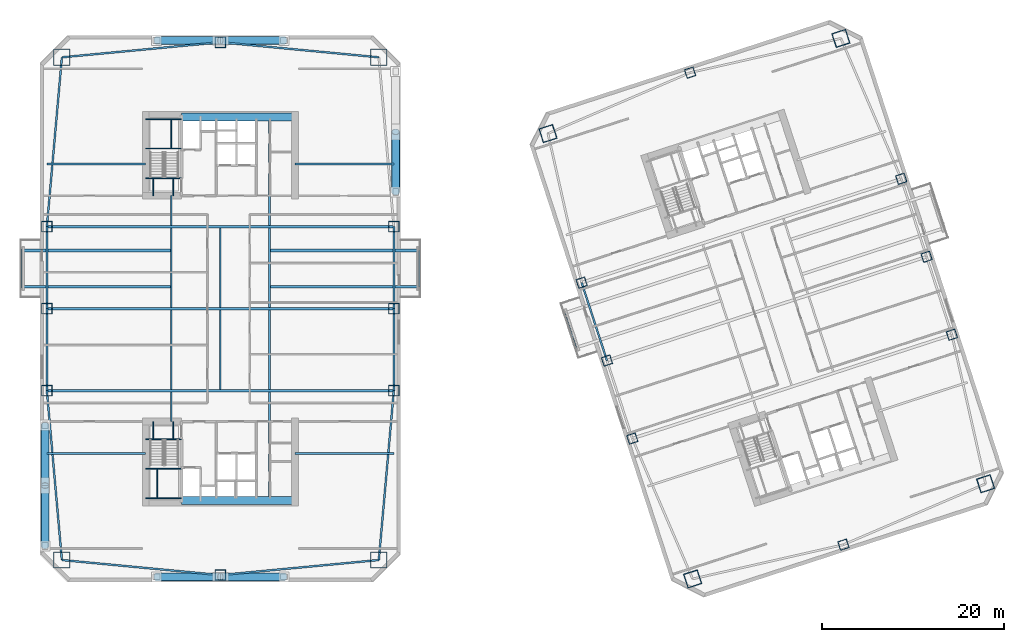
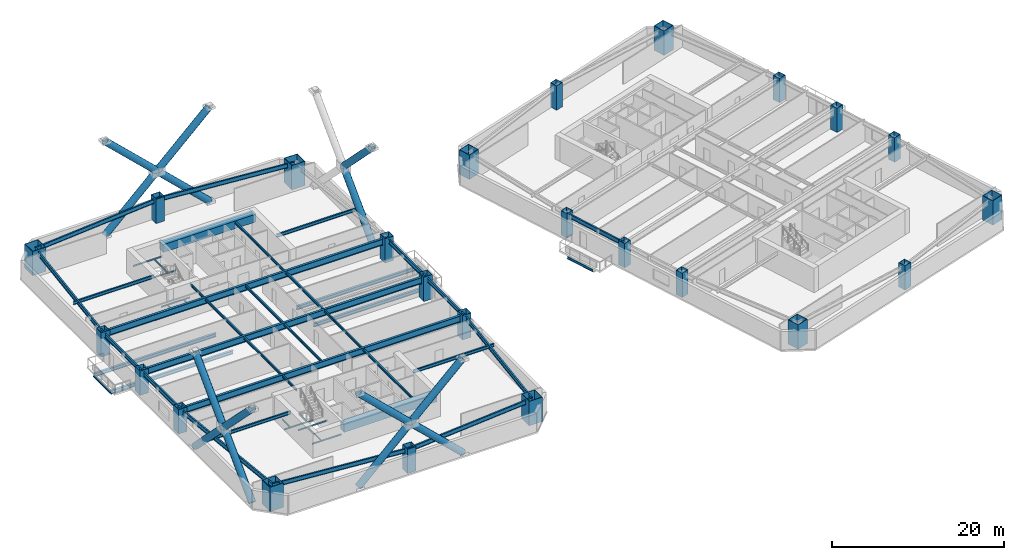
# One storey, part 1 of 15: 50 beams, 24 columns, 14 members.
"""IFC4 building model written with IfcOpenShell, lengths in metres."""

from ifc_helpers import new_model, si_unit, direction, frame, origin, origin_2d, place, context, subcontext, project, spatial, rectangle, hollow_rectangle, hollow_circle, i_section, extrude, material, material_profile, profile_set, type_object, element, save


model = new_model("IFC4")

# Units and contexts
model_context = context("Model", 3, precision=1e-05, world=origin(), true_north=direction((0.0, 1.0)))
body_context = subcontext(model_context, "Body", "Model", "MODEL_VIEW")
ifc_project = project(units=[si_unit("LENGTHUNIT", "METRE"), si_unit("AREAUNIT", "SQUARE_METRE"), si_unit("VOLUMEUNIT", "CUBIC_METRE"), si_unit("PLANEANGLEUNIT", "RADIAN"), si_unit("MASSUNIT", "GRAM", prefix="KILO")], contexts=[model_context])

# Site, building, storey
site_placement = place(None, origin())
site = spatial("IfcSite", under=ifc_project, at=site_placement, CompositionType="ELEMENT")
building_placement = place(site_placement, origin())
building = spatial("IfcBuilding", under=site, at=building_placement, Name="Qiaolan Cultural Towers", CompositionType="ELEMENT")
storey_placement = place(building_placement, frame((0.0, 0.0, 71.300048828125)))
storey = spatial("IfcBuildingStorey", under=building, at=storey_placement, Name="L17", CompositionType="ELEMENT", Elevation=71.300048828125)

# Columns
ifc_material_1 = material(Name="Steel Q355B", Category="steel")
ifc_material_profile_1 = material_profile(ifc_material_1, hollow_rectangle(XDim=1.0, YDim=1.0, WallThickness=0.035888671875, at=origin_2d()), Name="BOX1000x1000x36")
ifc_profile_set_1 = profile_set([ifc_material_profile_1], Name="Steel Q355B")
column_type_1 = type_object("IfcColumnType", Name="COL-BOX1000x1000x36", PredefinedType="COLUMN", material=ifc_profile_set_1)
for number, where, z_axis, x_axis, name in (
    (1, (75.234130859375, 19.739013671875, 0.0), (0.0, 0.0, 1.0), (0.951056516295, 0.309016994375, 0.0), "L17 T2 Perimeter Column PC-W1"),
    (2, (72.453125, 28.298583984375, 0.0), (0.0, 0.0, 1.0), (0.951056516295, 0.309016994375, 0.0), "L17 T2 Perimeter Column PC-W2"),
    (3, (69.671875, 36.858154296875, 0.0), (0.0, 0.0, 1.0), (0.951056516295, 0.309016994375, 0.0), "L17 T2 Perimeter Column PC-W3"),
    (4, (110.328125, 31.141845703125, 0.0), (0.0, 0.0, 1.0), (0.951056516295, 0.309016994375, 0.0), "L17 T2 Perimeter Column PC-E1"),
    (5, (107.546875, 39.701416015625, 0.0), (0.0, 0.0, 1.0), (0.951056516295, 0.309016994375, 0.0), "L17 T2 Perimeter Column PC-E2"),
    (6, (104.765869140625, 48.260986328125, 0.0), (0.0, 0.0, 1.0), (0.951056516295, 0.309016994375, 0.0), "L17 T2 Perimeter Column PC-E3"),
    (7, (98.420654296875, 8.083740234375, 0.0), (0.0, 0.0, 1.0), (0.951056516295, 0.309016994375, 0.0), "L17 T2 Perimeter Column PC-S0"),
    (8, (81.579345703125, 59.916259765625, 0.0), (0.0, 0.0, 1.0), (0.951056516295, 0.309016994375, 0.0), "L17 T2 Perimeter Column PC-N0"),
):
    element("IfcColumn", number, at=place(storey_placement, frame(where, z_axis=z_axis, x_axis=x_axis)), inside=storey, type_object=column_type_1, Name=name, PredefinedType="COLUMN", context=body_context, shape_type="SweptSolid", body=[
        extrude(hollow_rectangle(XDim=1.0, YDim=1.0, WallThickness=0.035888671875, at=origin_2d()), origin(), (0.0, 0.0, 1.0), 3.450927734375),
    ])
ifc_material_2 = material(Name="Steel Q390GJB", Category="steel")
ifc_material_profile_2 = material_profile(ifc_material_2, hollow_rectangle(XDim=1.14990234375, YDim=1.14990234375, WallThickness=0.0400390625, at=origin_2d()), Name="BOX1150x1150x40")
ifc_profile_set_2 = profile_set([ifc_material_profile_2], Name="Steel Q390GJB")
column_type_2 = type_object("IfcColumnType", Name="COL-BOX1150x1150x40", PredefinedType="COLUMN", material=ifc_profile_set_2)
for number, where, z_axis, x_axis, name in (
    (9, (10.949951171875, 25.0, 0.0), (0.0, 0.0, 1.0), (1.0, 0.0, 0.0), "L17 T1 Perimeter Column PC-W1"),
    (10, (10.949951171875, 34.0, 0.0), (0.0, 0.0, 1.0), (1.0, 0.0, 0.0), "L17 T1 Perimeter Column PC-W2"),
    (11, (10.949951171875, 43.0, 0.0), (0.0, 0.0, 1.0), (1.0, 0.0, 0.0), "L17 T1 Perimeter Column PC-W3"),
    (12, (49.050048828125, 25.0, 0.0), (0.0, 0.0, 1.0), (1.0, 0.0, 0.0), "L17 T1 Perimeter Column PC-E1"),
    (13, (49.050048828125, 34.0, 0.0), (0.0, 0.0, 1.0), (1.0, 0.0, 0.0), "L17 T1 Perimeter Column PC-E2"),
    (14, (49.050048828125, 43.0, 0.0), (0.0, 0.0, 1.0), (1.0, 0.0, 0.0), "L17 T1 Perimeter Column PC-E3"),
    (15, (30.0, 4.75, 0.0), (0.0, 0.0, 1.0), (1.0, 0.0, 0.0), "L17 T1 Perimeter Column PC-S0"),
    (16, (30.0, 63.25, 0.0), (0.0, 0.0, 1.0), (1.0, 0.0, 0.0), "L17 T1 Perimeter Column PC-N0"),
):
    element("IfcColumn", number, at=place(storey_placement, frame(where, z_axis=z_axis, x_axis=x_axis)), inside=storey, type_object=column_type_2, Name=name, PredefinedType="COLUMN", context=body_context, shape_type="SweptSolid", body=[
        extrude(hollow_rectangle(XDim=1.14990234375, YDim=1.14990234375, WallThickness=0.0400390625, at=origin_2d()), origin(), (0.0, 0.0, 1.0), 3.450927734375),
    ])
ifc_material_3 = material(Name="Steel Q420GJB", Category="steel")
ifc_material_profile_3 = material_profile(ifc_material_3, hollow_rectangle(XDim=1.60009765625, YDim=1.60009765625, WallThickness=0.054931640625, at=origin_2d()), Name="BOX1600x1600x55")
ifc_profile_set_3 = profile_set([ifc_material_profile_3], Name="Steel Q420GJB")
column_type_3 = type_object("IfcColumnType", Name="COL-BOX1600x1600x55", PredefinedType="COLUMN", material=ifc_profile_set_3)
for number, where, z_axis, x_axis, name in (
    (17, (81.862548828125, 4.32275390625, 0.0), (0.0, 0.0, 1.0), (0.951056516295, 0.309016994375, 0.0), "L17 T2 Perimeter Column MC-SW"),
    (18, (114.027099609375, 14.77392578125, 0.0), (0.0, 0.0, 1.0), (0.951056516295, 0.309016994375, 0.0), "L17 T2 Perimeter Column MC-SE"),
    (19, (98.137451171875, 63.67724609375, 0.0), (0.0, 0.0, 1.0), (0.951056516295, 0.309016994375, 0.0), "L17 T2 Perimeter Column MC-NE"),
    (20, (65.972900390625, 53.22607421875, 0.0), (0.0, 0.0, 1.0), (0.951056516295, 0.309016994375, 0.0), "L17 T2 Perimeter Column MC-NW"),
):
    element("IfcColumn", number, at=place(storey_placement, frame(where, z_axis=z_axis, x_axis=x_axis)), inside=storey, type_object=column_type_3, Name=name, PredefinedType="COLUMN", context=body_context, shape_type="SweptSolid", body=[
        extrude(hollow_rectangle(XDim=1.60009765625, YDim=1.60009765625, WallThickness=0.054931640625, at=origin_2d()), origin(), (0.0, 0.0, 1.0), 3.450927734375),
    ])
ifc_material_4 = material(Name="Steel Q420GJB", Category="steel")
ifc_material_profile_4 = material_profile(ifc_material_4, hollow_rectangle(XDim=1.800048828125, YDim=1.800048828125, WallThickness=0.06005859375, at=origin_2d()), Name="BOX1800x1800x60")
ifc_profile_set_4 = profile_set([ifc_material_profile_4], Name="Steel Q420GJB")
column_type_4 = type_object("IfcColumnType", Name="COL-BOX1800x1800x60", PredefinedType="COLUMN", material=ifc_profile_set_4)
for number, where, z_axis, x_axis, name in (
    (21, (12.60009765625, 6.39990234375, 0.0), (0.0, 0.0, 1.0), (1.0, 0.0, 0.0), "L17 T1 Perimeter Column MC-SW"),
    (22, (47.39990234375, 6.39990234375, 0.0), (0.0, 0.0, 1.0), (1.0, 0.0, 0.0), "L17 T1 Perimeter Column MC-SE"),
    (23, (47.39990234375, 61.60009765625, 0.0), (0.0, 0.0, 1.0), (1.0, 0.0, 0.0), "L17 T1 Perimeter Column MC-NE"),
    (24, (12.60009765625, 61.60009765625, 0.0), (0.0, 0.0, 1.0), (1.0, 0.0, 0.0), "L17 T1 Perimeter Column MC-NW"),
):
    element("IfcColumn", number, at=place(storey_placement, frame(where, z_axis=z_axis, x_axis=x_axis)), inside=storey, type_object=column_type_4, Name=name, PredefinedType="COLUMN", context=body_context, shape_type="SweptSolid", body=[
        extrude(hollow_rectangle(XDim=1.800048828125, YDim=1.800048828125, WallThickness=0.06005859375, at=origin_2d()), origin(), (0.0, 0.0, 1.0), 3.450927734375),
    ])

# Beams
ifc_material_5 = material(Name="Steel Q355B", Category="steel")
ifc_material_profile_5 = material_profile(ifc_material_5, i_section(OverallWidth=0.300048828125, OverallDepth=0.488037109375, WebThickness=0.010986328125, FlangeThickness=0.01806640625, at=origin_2d()), Name="HM488x300x11x18")
ifc_profile_set_5 = profile_set([ifc_material_profile_5], Name="Steel Q355B")
beam_type_1 = type_object("IfcBeamType", Name="BM-HM488x300x11x18", PredefinedType="BEAM", material=ifc_profile_set_5)
for number, where, z_axis, x_axis, name in (
    (25, (24.60009765625, 36.39990234375, -0.524169921875), (-1.0, 0.0, 0.0), (0.0, -1.0, 0.0), "L17 T1 Tree Balcony Back-Spanned Bracket Beam"),
    (26, (24.60009765625, 40.39990234375, -0.524169921875), (-1.0, 0.0, 0.0), (0.0, -1.0, 0.0), "L17 T1 Tree Balcony Back-Spanned Bracket Beam"),
    (27, (35.39990234375, 36.39990234375, -0.524169921875), (1.0, 0.0, 0.0), (0.0, 1.0, 0.0), "L17 T1 Tree Balcony Back-Spanned Bracket Beam"),
    (28, (35.39990234375, 40.39990234375, -0.524169921875), (1.0, 0.0, 0.0), (0.0, 1.0, 0.0), "L17 T1 Tree Balcony Back-Spanned Bracket Beam"),
):
    element("IfcBeam", number, at=place(storey_placement, frame(where, z_axis=z_axis, x_axis=x_axis)), inside=storey, type_object=beam_type_1, Name=name, PredefinedType="BEAM", context=body_context, shape_type="SweptSolid", body=[
        extrude(i_section(OverallWidth=0.300048828125, OverallDepth=0.488037109375, WebThickness=0.010986328125, FlangeThickness=0.01806640625, at=origin_2d()), origin(), (0.0, 0.0, 1.0), 16.4501953125),
    ])
ifc_material_6 = material(Name="Steel Q355B", Category="steel")
ifc_material_profile_6 = material_profile(ifc_material_6, i_section(OverallWidth=0.300048828125, OverallDepth=0.89990234375, WebThickness=0.01611328125, FlangeThickness=0.028076171875, at=origin_2d()), Name="HN900x300x16x28")
ifc_profile_set_6 = profile_set([ifc_material_profile_6], Name="Steel Q355B")
beam_type_2 = type_object("IfcBeamType", Name="BM-HN900x300x16x28", PredefinedType="BEAM", material=ifc_profile_set_6)
for number, where, z_axis, x_axis, name in (
    (29, (10.949951171875, 25.0, 2.739990234375), (1.0, 0.0, 0.0), (0.0, 1.0, 0.0), "L17 T1 Primary Transverse Girder V1"),
    (30, (10.949951171875, 34.0, 2.739990234375), (1.0, 0.0, 0.0), (0.0, 1.0, 0.0), "L17 T1 Primary Transverse Girder V2"),
    (31, (10.949951171875, 43.0, 2.739990234375), (1.0, 0.0, 0.0), (0.0, 1.0, 0.0), "L17 T1 Primary Transverse Girder V3"),
):
    element("IfcBeam", number, at=place(storey_placement, frame(where, z_axis=z_axis, x_axis=x_axis)), inside=storey, type_object=beam_type_2, Name=name, PredefinedType="BEAM", context=body_context, shape_type="SweptSolid", body=[
        extrude(i_section(OverallWidth=0.300048828125, OverallDepth=0.89990234375, WebThickness=0.01611328125, FlangeThickness=0.028076171875, at=origin_2d()), origin(), (0.0, 0.0, 1.0), 38.10009765625),
    ])
ifc_material_7 = material(Name="Steel Q355B", Category="steel")
ifc_material_profile_7 = material_profile(ifc_material_7, i_section(OverallWidth=0.175048828125, OverallDepth=0.35009765625, WebThickness=0.007080078125, FlangeThickness=0.010986328125, at=origin_2d()), Name="HN350x175x7x11")
ifc_profile_set_7 = profile_set([ifc_material_profile_7], Name="Steel Q355B")
beam_type_3 = type_object("IfcBeamType", Name="BM-JST-HN350x175x7x11", PredefinedType="JOIST", material=ifc_profile_set_7)
for number, where, z_axis, x_axis, name in (
    (32, (8.14990234375, 36.39990234375, -0.524169921875), (0.0, 1.0, 0.0), (-1.0, 0.0, 0.0), "L17 T1 Tree Balcony Outer Edge Beam"),
    (33, (51.85009765625, 36.39990234375, -0.524169921875), (0.0, 1.0, 0.0), (-1.0, 0.0, 0.0), "L17 T1 Tree Balcony Outer Edge Beam"),
):
    element("IfcBeam", number, at=place(storey_placement, frame(where, z_axis=z_axis, x_axis=x_axis)), inside=storey, type_object=beam_type_3, Name=name, PredefinedType="JOIST", context=body_context, shape_type="SweptSolid", body=[
        extrude(i_section(OverallWidth=0.175048828125, OverallDepth=0.35009765625, WebThickness=0.007080078125, FlangeThickness=0.010986328125, at=origin_2d()), origin(), (0.0, 0.0, 1.0), 4.0),
    ])
beam_1_placement = place(storey_placement, frame((69.04833984375, 29.7158203125, -0.524169921875), z_axis=(-0.3090046493, 0.951060527364, 0.0), x_axis=(-0.951060527364, -0.3090046493, 0.0)))
element("IfcBeam", 34, at=beam_1_placement, inside=storey, type_object=beam_type_3, Name="L17 T2 Tree Balcony Outer Edge Beam", PredefinedType="JOIST", context=body_context, shape_type="SweptSolid", body=[
    extrude(i_section(OverallWidth=0.175048828125, OverallDepth=0.35009765625, WebThickness=0.007080078125, FlangeThickness=0.010986328125, at=origin_2d()), origin(), (0.0, 0.0, 1.0), 4.000244140625),
])
beam_2_placement = place(storey_placement, frame((24.60009765625, 21.60009765625, 3.014892578125), z_axis=(0.0, 1.0, 0.0), x_axis=(-1.0, 0.0, 0.0)))
element("IfcBeam", 35, at=beam_2_placement, inside=storey, type_object=beam_type_3, Name="L17 T1 Secondary Floor Joist U1-1", PredefinedType="JOIST", context=body_context, shape_type="SweptSolid", body=[
    extrude(i_section(OverallWidth=0.175048828125, OverallDepth=0.35009765625, WebThickness=0.007080078125, FlangeThickness=0.010986328125, at=origin_2d()), origin(), (0.0, 0.0, 1.0), 3.25),
])
for number, where, z_axis, x_axis, name in (
    (36, (24.60009765625, 25.14990234375, 3.014892578125), (0.0, 1.0, 0.0), (-1.0, 0.0, 0.0), "L17 T1 Secondary Floor Joist U1-2"),
    (37, (24.60009765625, 34.14990234375, 3.014892578125), (0.0, 1.0, 0.0), (-1.0, 0.0, 0.0), "L17 T1 Secondary Floor Joist U1-3"),
):
    element("IfcBeam", number, at=place(storey_placement, frame(where, z_axis=z_axis, x_axis=x_axis)), inside=storey, type_object=beam_type_3, Name=name, PredefinedType="JOIST", context=body_context, shape_type="SweptSolid", body=[
        extrude(i_section(OverallWidth=0.175048828125, OverallDepth=0.35009765625, WebThickness=0.007080078125, FlangeThickness=0.010986328125, at=origin_2d()), origin(), (0.0, 0.0, 1.0), 8.7001953125),
    ])
beam_3_placement = place(storey_placement, frame((24.60009765625, 43.14990234375, 3.014892578125), z_axis=(0.0, 1.0, 0.0), x_axis=(-1.0, 0.0, 0.0)))
element("IfcBeam", 38, at=beam_3_placement, inside=storey, type_object=beam_type_3, Name="L17 T1 Secondary Floor Joist U1-4", PredefinedType="JOIST", context=body_context, shape_type="SweptSolid", body=[
    extrude(i_section(OverallWidth=0.175048828125, OverallDepth=0.35009765625, WebThickness=0.007080078125, FlangeThickness=0.010986328125, at=origin_2d()), origin(), (0.0, 0.0, 1.0), 3.25),
])
for number, where, z_axis, x_axis, name in (
    (39, (30.0, 25.14990234375, 3.014892578125), (0.0, 1.0, 0.0), (-1.0, 0.0, 0.0), "L17 T1 Secondary Floor Joist U2-2"),
    (40, (30.0, 34.14990234375, 3.014892578125), (0.0, 1.0, 0.0), (-1.0, 0.0, 0.0), "L17 T1 Secondary Floor Joist U2-3"),
):
    element("IfcBeam", number, at=place(storey_placement, frame(where, z_axis=z_axis, x_axis=x_axis)), inside=storey, type_object=beam_type_3, Name=name, PredefinedType="JOIST", context=body_context, shape_type="SweptSolid", body=[
        extrude(i_section(OverallWidth=0.175048828125, OverallDepth=0.35009765625, WebThickness=0.007080078125, FlangeThickness=0.010986328125, at=origin_2d()), origin(), (0.0, 0.0, 1.0), 8.7001953125),
    ])
beam_4_placement = place(storey_placement, frame((35.39990234375, 13.39990234375, 3.014892578125), z_axis=(0.0, 1.0, 0.0), x_axis=(-1.0, 0.0, 0.0)))
element("IfcBeam", 41, at=beam_4_placement, inside=storey, type_object=beam_type_3, Name="L17 T1 Secondary Floor Joist U3-1", PredefinedType="JOIST", context=body_context, shape_type="SweptSolid", body=[
    extrude(i_section(OverallWidth=0.175048828125, OverallDepth=0.35009765625, WebThickness=0.007080078125, FlangeThickness=0.010986328125, at=origin_2d()), origin(), (0.0, 0.0, 1.0), 11.4501953125),
])
for number, where, z_axis, x_axis, name in (
    (42, (35.39990234375, 25.14990234375, 3.014892578125), (0.0, 1.0, 0.0), (-1.0, 0.0, 0.0), "L17 T1 Secondary Floor Joist U3-2"),
    (43, (35.39990234375, 34.14990234375, 3.014892578125), (0.0, 1.0, 0.0), (-1.0, 0.0, 0.0), "L17 T1 Secondary Floor Joist U3-3"),
):
    element("IfcBeam", number, at=place(storey_placement, frame(where, z_axis=z_axis, x_axis=x_axis)), inside=storey, type_object=beam_type_3, Name=name, PredefinedType="JOIST", context=body_context, shape_type="SweptSolid", body=[
        extrude(i_section(OverallWidth=0.175048828125, OverallDepth=0.35009765625, WebThickness=0.007080078125, FlangeThickness=0.010986328125, at=origin_2d()), origin(), (0.0, 0.0, 1.0), 8.7001953125),
    ])
beam_5_placement = place(storey_placement, frame((35.39990234375, 43.14990234375, 3.014892578125), z_axis=(0.0, 1.0, 0.0), x_axis=(-1.0, 0.0, 0.0)))
element("IfcBeam", 44, at=beam_5_placement, inside=storey, type_object=beam_type_3, Name="L17 T1 Secondary Floor Joist U3-4", PredefinedType="JOIST", context=body_context, shape_type="SweptSolid", body=[
    extrude(i_section(OverallWidth=0.175048828125, OverallDepth=0.35009765625, WebThickness=0.007080078125, FlangeThickness=0.010986328125, at=origin_2d()), origin(), (0.0, 0.0, 1.0), 11.4501953125),
])
ifc_material_8 = material(Name="Steel Q355B", Category="steel")
ifc_material_profile_8 = material_profile(ifc_material_8, i_section(OverallWidth=0.199951171875, OverallDepth=0.449951171875, WebThickness=0.009033203125, FlangeThickness=0.013916015625, at=origin_2d()), Name="HN450x200x9x14")
ifc_profile_set_8 = profile_set([ifc_material_profile_8], Name="Steel Q355B")
beam_type_4 = type_object("IfcBeamType", Name="BM-LNT-HN450x200x9x14", PredefinedType="LINTEL", material=ifc_profile_set_8)
for number, where, z_axis, x_axis, name in (
    (45, (21.800048828125, 18.10009765625, 2.96484375), (-1.0, 0.0, 0.0), (0.0, -1.0, 0.0), "L17 T1 Core Flank Tie Lintel WS"),
    (46, (21.800048828125, 49.89990234375, 2.96484375), (-1.0, 0.0, 0.0), (0.0, -1.0, 0.0), "L17 T1 Core Flank Tie Lintel WN"),
    (47, (38.199951171875, 18.10009765625, 2.96484375), (1.0, 0.0, 0.0), (0.0, 1.0, 0.0), "L17 T1 Core Flank Tie Lintel ES"),
    (48, (38.199951171875, 49.89990234375, 2.96484375), (1.0, 0.0, 0.0), (0.0, 1.0, 0.0), "L17 T1 Core Flank Tie Lintel EN"),
):
    element("IfcBeam", number, at=place(storey_placement, frame(where, z_axis=z_axis, x_axis=x_axis)), inside=storey, type_object=beam_type_4, Name=name, PredefinedType="LINTEL", context=body_context, shape_type="SweptSolid", body=[
        extrude(i_section(OverallWidth=0.199951171875, OverallDepth=0.449951171875, WebThickness=0.009033203125, FlangeThickness=0.013916015625, at=origin_2d()), origin(), (0.0, 0.0, 1.0), 10.85009765625),
    ])
ifc_material_9 = material(Name="Concrete C50", Category="concrete")
ifc_material_profile_9 = material_profile(ifc_material_9, rectangle(XDim=0.89990234375, YDim=1.10009765625, at=origin_2d()), Name="RC900x1100")
ifc_profile_set_9 = profile_set([ifc_material_profile_9], Name="Concrete C50")
beam_type_5 = type_object("IfcBeamType", Name="BM-RC900x1100", PredefinedType="BEAM", material=ifc_profile_set_9)
for number, where, z_axis, x_axis, name in (
    (49, (25.719970703125, 12.949951171875, 2.639892578125), (1.0, 0.0, 0.0), (0.0, 1.0, 0.0), "L17 T1 Core Header Girder S"),
    (50, (25.719970703125, 55.050048828125, 2.639892578125), (1.0, 0.0, 0.0), (0.0, 1.0, 0.0), "L17 T1 Core Header Girder N"),
):
    element("IfcBeam", number, at=place(storey_placement, frame(where, z_axis=z_axis, x_axis=x_axis)), inside=storey, type_object=beam_type_5, Name=name, PredefinedType="BEAM", context=body_context, shape_type="SweptSolid", body=[
        extrude(rectangle(XDim=0.89990234375, YDim=1.10009765625, at=origin_2d()), origin(), (0.0, 0.0, 1.0), 12.47998046875),
    ])
ifc_material_10 = material(Name="Steel Q355B", Category="steel")
ifc_material_profile_10 = material_profile(ifc_material_10, i_section(OverallWidth=0.199951171875, OverallDepth=0.60009765625, WebThickness=0.010986328125, FlangeThickness=0.01708984375, at=origin_2d()), Name="HN600x200x11x17")
ifc_profile_set_10 = profile_set([ifc_material_profile_10], Name="Steel Q355B")
beam_type_6 = type_object("IfcBeamType", Name="BM-SPD-HN600x200x11x17", PredefinedType="SPANDREL", material=ifc_profile_set_10)
for number, where, z_axis, x_axis, name in (
    (51, (12.60009765625, 6.39990234375, 2.889892578125), (0.995534437156, -0.094399070104, 0.0), (0.094399070104, 0.995534437156, 0.0), "L17 T1 Perimeter Spandrel Beam 1"),
    (52, (30.0, 4.75, 2.889892578125), (0.995534437156, 0.094399070104, 0.0), (-0.094399070104, 0.995534437156, 0.0), "L17 T1 Perimeter Spandrel Beam 2"),
):
    element("IfcBeam", number, at=place(storey_placement, frame(where, z_axis=z_axis, x_axis=x_axis)), inside=storey, type_object=beam_type_6, Name=name, PredefinedType="SPANDREL", context=body_context, shape_type="SweptSolid", body=[
        extrude(i_section(OverallWidth=0.199951171875, OverallDepth=0.60009765625, WebThickness=0.010986328125, FlangeThickness=0.01708984375, at=origin_2d()), origin(), (0.0, 0.0, 1.0), 17.47802734375),
    ])
beam_6_placement = place(storey_placement, frame((47.39990234375, 6.39990234375, 2.889892578125), z_axis=(0.08837000091, 0.996087718496, 0.0), x_axis=(-0.996087718496, 0.08837000091, 0.0)))
element("IfcBeam", 53, at=beam_6_placement, inside=storey, type_object=beam_type_6, Name="L17 T1 Perimeter Spandrel Beam 3", PredefinedType="SPANDREL", context=body_context, shape_type="SweptSolid", body=[
    extrude(i_section(OverallWidth=0.199951171875, OverallDepth=0.60009765625, WebThickness=0.010986328125, FlangeThickness=0.01708984375, at=origin_2d()), origin(), (0.0, 0.0, 1.0), 18.673095703125),
])
for number, where, z_axis, x_axis, name in (
    (54, (49.050048828125, 25.0, 2.889892578125), (0.0, 1.0, 0.0), (-1.0, 0.0, 0.0), "L17 T1 Perimeter Spandrel Beam 4"),
    (55, (49.050048828125, 34.0, 2.889892578125), (0.0, 1.0, 0.0), (-1.0, 0.0, 0.0), "L17 T1 Perimeter Spandrel Beam 5"),
):
    element("IfcBeam", number, at=place(storey_placement, frame(where, z_axis=z_axis, x_axis=x_axis)), inside=storey, type_object=beam_type_6, Name=name, PredefinedType="SPANDREL", context=body_context, shape_type="SweptSolid", body=[
        extrude(i_section(OverallWidth=0.199951171875, OverallDepth=0.60009765625, WebThickness=0.010986328125, FlangeThickness=0.01708984375, at=origin_2d()), origin(), (0.0, 0.0, 1.0), 9.0),
    ])
for number, where, z_axis, x_axis, name in (
    (56, (47.39990234375, 61.60009765625, 2.889892578125), (-0.995534437156, 0.094399070104, 0.0), (-0.094399070104, -0.995534437156, 0.0), "L17 T1 Perimeter Spandrel Beam 7"),
    (57, (30.0, 63.25, 2.889892578125), (-0.995534437156, -0.094399070104, 0.0), (0.094399070104, -0.995534437156, 0.0), "L17 T1 Perimeter Spandrel Beam 8"),
):
    element("IfcBeam", number, at=place(storey_placement, frame(where, z_axis=z_axis, x_axis=x_axis)), inside=storey, type_object=beam_type_6, Name=name, PredefinedType="SPANDREL", context=body_context, shape_type="SweptSolid", body=[
        extrude(i_section(OverallWidth=0.199951171875, OverallDepth=0.60009765625, WebThickness=0.010986328125, FlangeThickness=0.01708984375, at=origin_2d()), origin(), (0.0, 0.0, 1.0), 17.47802734375),
    ])
beam_7_placement = place(storey_placement, frame((12.60009765625, 61.60009765625, 2.889892578125), z_axis=(-0.08837000091, -0.996087718496, 0.0), x_axis=(0.996087718496, -0.08837000091, 0.0)))
element("IfcBeam", 58, at=beam_7_placement, inside=storey, type_object=beam_type_6, Name="L17 T1 Perimeter Spandrel Beam 9", PredefinedType="SPANDREL", context=body_context, shape_type="SweptSolid", body=[
    extrude(i_section(OverallWidth=0.199951171875, OverallDepth=0.60009765625, WebThickness=0.010986328125, FlangeThickness=0.01708984375, at=origin_2d()), origin(), (0.0, 0.0, 1.0), 18.673095703125),
])
for number, where, z_axis, x_axis, name in (
    (59, (10.949951171875, 43.0, 2.889892578125), (0.0, -1.0, 0.0), (1.0, 0.0, 0.0), "L17 T1 Perimeter Spandrel Beam 10"),
    (60, (10.949951171875, 34.0, 2.889892578125), (0.0, -1.0, 0.0), (1.0, 0.0, 0.0), "L17 T1 Perimeter Spandrel Beam 11"),
):
    element("IfcBeam", number, at=place(storey_placement, frame(where, z_axis=z_axis, x_axis=x_axis)), inside=storey, type_object=beam_type_6, Name=name, PredefinedType="SPANDREL", context=body_context, shape_type="SweptSolid", body=[
        extrude(i_section(OverallWidth=0.199951171875, OverallDepth=0.60009765625, WebThickness=0.010986328125, FlangeThickness=0.01708984375, at=origin_2d()), origin(), (0.0, 0.0, 1.0), 9.0),
    ])
beam_8_placement = place(storey_placement, frame((10.949951171875, 25.0, 2.889892578125), z_axis=(0.08837000091, -0.996087718496, 0.0), x_axis=(0.996087718496, 0.08837000091, 0.0)))
element("IfcBeam", 61, at=beam_8_placement, inside=storey, type_object=beam_type_6, Name="L17 T1 Perimeter Spandrel Beam 12", PredefinedType="SPANDREL", context=body_context, shape_type="SweptSolid", body=[
    extrude(i_section(OverallWidth=0.199951171875, OverallDepth=0.60009765625, WebThickness=0.010986328125, FlangeThickness=0.01708984375, at=origin_2d()), origin(), (0.0, 0.0, 1.0), 18.673095703125),
])
beam_9_placement = place(storey_placement, frame((69.671875, 36.858154296875, 2.889892578125), z_axis=(0.309024734286, -0.951054001411, 0.0), x_axis=(0.951054001411, 0.309024734286, 0.0)))
element("IfcBeam", 62, at=beam_9_placement, inside=storey, type_object=beam_type_6, Name="L17 T2 Perimeter Spandrel Beam 10", PredefinedType="SPANDREL", context=body_context, shape_type="SweptSolid", body=[
    extrude(i_section(OverallWidth=0.199951171875, OverallDepth=0.60009765625, WebThickness=0.010986328125, FlangeThickness=0.01708984375, at=origin_2d()), origin(), (0.0, 0.0, 1.0), 9.0),
])
ifc_material_11 = material(Name="Steel Q355B", Category="steel")
ifc_material_profile_11 = material_profile(ifc_material_11, i_section(OverallWidth=0.10009765625, OverallDepth=0.199951171875, WebThickness=0.005615234375, FlangeThickness=0.008056640625, at=origin_2d()), Name="HN200x100x5.5x8")
ifc_profile_set_11 = profile_set([ifc_material_profile_11], Name="Steel Q355B")
beam_type_7 = type_object("IfcBeamType", Name="BM-STTRIM-200", PredefinedType="BEAM", material=ifc_profile_set_11)
beam_10_placement = place(storey_placement, frame((21.800048828125, 19.659912109375, -0.4599609375), z_axis=(1.0, 0.0, 0.0), x_axis=(0.0, 1.0, 0.0)))
element("IfcBeam", 63, at=beam_10_placement, inside=storey, type_object=beam_type_7, Name="L17 ST-W1 Floor Landing Header Beam", PredefinedType="BEAM", context=body_context, shape_type="SweptSolid", body=[
    extrude(i_section(OverallWidth=0.10009765625, OverallDepth=0.199951171875, WebThickness=0.005615234375, FlangeThickness=0.008056640625, at=origin_2d()), origin(), (0.0, 0.0, 1.0), 3.919921875),
])
for number, where, z_axis, x_axis, name in (
    (64, (22.64990234375, 21.60009765625, -0.4599609375), (0.0, -1.0, 0.0), (1.0, 0.0, 0.0), "L17 ST-W1 Floor Landing Stringer 1"),
    (65, (24.85009765625, 21.60009765625, -0.4599609375), (0.0, -1.0, 0.0), (1.0, 0.0, 0.0), "L17 ST-W1 Floor Landing Stringer 2"),
):
    element("IfcBeam", number, at=place(storey_placement, frame(where, z_axis=z_axis, x_axis=x_axis)), inside=storey, type_object=beam_type_7, Name=name, PredefinedType="BEAM", context=body_context, shape_type="SweptSolid", body=[
        extrude(i_section(OverallWidth=0.10009765625, OverallDepth=0.199951171875, WebThickness=0.005615234375, FlangeThickness=0.008056640625, at=origin_2d()), origin(), (0.0, 0.0, 1.0), 1.940185546875),
    ])
for number, where, z_axis, x_axis, name in (
    (66, (21.800048828125, 16.411376953125, 1.425048828125), (1.0, 0.0, 0.0), (0.0, 1.0, 0.0), "L17 ST-W1 Stair Landing Support Beam 1-1"),
    (67, (21.800048828125, 13.179931640625, 1.425048828125), (1.0, 0.0, 0.0), (0.0, 1.0, 0.0), "L17 ST-W1 Stair Landing Support Beam 1-2"),
):
    element("IfcBeam", number, at=place(storey_placement, frame(where, z_axis=z_axis, x_axis=x_axis)), inside=storey, type_object=beam_type_7, Name=name, PredefinedType="BEAM", context=body_context, shape_type="SweptSolid", body=[
        extrude(i_section(OverallWidth=0.10009765625, OverallDepth=0.199951171875, WebThickness=0.005615234375, FlangeThickness=0.008056640625, at=origin_2d()), origin(), (0.0, 0.0, 1.0), 3.919921875),
    ])
beam_11_placement = place(storey_placement, frame((23.070068359375, 16.411376953125, 1.425048828125), z_axis=(0.0, -1.0, 0.0), x_axis=(1.0, 0.0, 0.0)))
element("IfcBeam", 68, at=beam_11_placement, inside=storey, type_object=beam_type_7, Name="L17 ST-W1 Stair Landing Trimmer 1", PredefinedType="BEAM", context=body_context, shape_type="SweptSolid", body=[
    extrude(i_section(OverallWidth=0.10009765625, OverallDepth=0.199951171875, WebThickness=0.005615234375, FlangeThickness=0.008056640625, at=origin_2d()), origin(), (0.0, 0.0, 1.0), 3.2314453125),
])
beam_12_placement = place(storey_placement, frame((21.800048828125, 48.340087890625, -0.4599609375), z_axis=(1.0, 0.0, 0.0), x_axis=(0.0, 1.0, 0.0)))
element("IfcBeam", 69, at=beam_12_placement, inside=storey, type_object=beam_type_7, Name="L17 ST-W2 Floor Landing Header Beam", PredefinedType="BEAM", context=body_context, shape_type="SweptSolid", body=[
    extrude(i_section(OverallWidth=0.10009765625, OverallDepth=0.199951171875, WebThickness=0.005615234375, FlangeThickness=0.008056640625, at=origin_2d()), origin(), (0.0, 0.0, 1.0), 3.919921875),
])
for number, where, z_axis, x_axis, name in (
    (70, (22.64990234375, 46.39990234375, -0.4599609375), (0.0, 1.0, 0.0), (-1.0, 0.0, 0.0), "L17 ST-W2 Floor Landing Stringer 1"),
    (71, (24.85009765625, 46.39990234375, -0.4599609375), (0.0, 1.0, 0.0), (-1.0, 0.0, 0.0), "L17 ST-W2 Floor Landing Stringer 2"),
):
    element("IfcBeam", number, at=place(storey_placement, frame(where, z_axis=z_axis, x_axis=x_axis)), inside=storey, type_object=beam_type_7, Name=name, PredefinedType="BEAM", context=body_context, shape_type="SweptSolid", body=[
        extrude(i_section(OverallWidth=0.10009765625, OverallDepth=0.199951171875, WebThickness=0.005615234375, FlangeThickness=0.008056640625, at=origin_2d()), origin(), (0.0, 0.0, 1.0), 1.940185546875),
    ])
for number, where, z_axis, x_axis, name in (
    (72, (21.800048828125, 51.588623046875, 1.425048828125), (1.0, 0.0, 0.0), (0.0, 1.0, 0.0), "L17 ST-W2 Stair Landing Support Beam 1-1"),
    (73, (21.800048828125, 54.820068359375, 1.425048828125), (1.0, 0.0, 0.0), (0.0, 1.0, 0.0), "L17 ST-W2 Stair Landing Support Beam 1-2"),
):
    element("IfcBeam", number, at=place(storey_placement, frame(where, z_axis=z_axis, x_axis=x_axis)), inside=storey, type_object=beam_type_7, Name=name, PredefinedType="BEAM", context=body_context, shape_type="SweptSolid", body=[
        extrude(i_section(OverallWidth=0.10009765625, OverallDepth=0.199951171875, WebThickness=0.005615234375, FlangeThickness=0.008056640625, at=origin_2d()), origin(), (0.0, 0.0, 1.0), 3.919921875),
    ])
beam_13_placement = place(storey_placement, frame((24.610107421875, 51.588623046875, 1.425048828125), z_axis=(0.0, 1.0, 0.0), x_axis=(-1.0, 0.0, 0.0)))
element("IfcBeam", 74, at=beam_13_placement, inside=storey, type_object=beam_type_7, Name="L17 ST-W2 Stair Landing Trimmer 1", PredefinedType="BEAM", context=body_context, shape_type="SweptSolid", body=[
    extrude(i_section(OverallWidth=0.10009765625, OverallDepth=0.199951171875, WebThickness=0.005615234375, FlangeThickness=0.008056640625, at=origin_2d()), origin(), (0.0, 0.0, 1.0), 3.2314453125),
])

# Members
ifc_material_12 = material(Name="Steel Q390GJB", Category="steel")
ifc_material_profile_12 = material_profile(ifc_material_12, hollow_circle(Radius=0.449951171875, WallThickness=0.044921875, at=origin_2d()), Name="CHS900x45")
ifc_profile_set_12 = profile_set([ifc_material_profile_12], Name="Steel Q390GJB")
member_type = type_object("IfcMemberType", Name="MBR-BRC-CHS900x45", PredefinedType="BRACE", material=ifc_profile_set_12)
for number, where, z_axis, x_axis, name in (
    (75, (10.75, 7.949951171875, 0.14990234375), (0.0, 0.704440911161, 0.709762638269), (-1.0, 0.0, 0.0), "T1 WEST Perimeter Frame Diagonal W-Z1-M4-D1A"),
    (76, (10.75, 14.574951171875, 6.824951171875), (0.0, 0.704440911161, 0.709762638269), (-1.0, 0.0, 0.0), "T1 WEST Perimeter Frame Diagonal W-Z1-M4-D1B"),
    (77, (10.75, 21.199951171875, 0.14990234375), (0.0, -0.704440911161, 0.709762638269), (1.0, 0.0, 0.0), "T1 WEST Perimeter Frame Diagonal W-Z1-M4-D2A"),
    (78, (10.75, 14.574951171875, 6.824951171875), (0.0, -0.704440911161, 0.709762638269), (1.0, 0.0, 0.0), "T1 WEST Perimeter Frame Diagonal W-Z1-M4-D2B"),
    (79, (49.25, 46.800048828125, 0.14990234375), (0.0, 0.704440911161, 0.709762638269), (-1.0, 0.0, 0.0), "T1 EAST Perimeter Frame Diagonal W-Z1-M4-D1A"),
    (80, (49.25, 53.425048828125, 6.824951171875), (0.0, -0.704440911161, 0.709762638269), (1.0, 0.0, 0.0), "T1 EAST Perimeter Frame Diagonal W-Z1-M4-D2B"),
):
    element("IfcMember", number, at=place(storey_placement, frame(where, z_axis=z_axis, x_axis=x_axis)), inside=storey, type_object=member_type, Name=name, PredefinedType="BRACE", context=body_context, shape_type="SweptSolid", body=[
        extrude(hollow_circle(Radius=0.449951171875, WallThickness=0.044921875, at=origin_2d()), origin(), (0.0, 0.0, 1.0), 9.404541015625),
    ])
for number, where, z_axis, x_axis, name in (
    (81, (23.0, 4.550048828125, 0.14990234375), (0.723705002801, 0.0, 0.69010946155), (0.0, 1.0, 0.0), "T1 SOUTH Perimeter Frame Diagonal W-Z1-M4-D1A"),
    (82, (30.0, 4.550048828125, 6.824951171875), (0.723705002801, 0.0, 0.69010946155), (0.0, 1.0, 0.0), "T1 SOUTH Perimeter Frame Diagonal W-Z1-M4-D1B"),
    (83, (37.0, 4.550048828125, 0.14990234375), (-0.723705002801, 0.0, 0.69010946155), (0.0, -1.0, 0.0), "T1 SOUTH Perimeter Frame Diagonal W-Z1-M4-D2A"),
    (84, (30.0, 4.550048828125, 6.824951171875), (-0.723705002801, 0.0, 0.69010946155), (0.0, -1.0, 0.0), "T1 SOUTH Perimeter Frame Diagonal W-Z1-M4-D2B"),
    (85, (23.0, 63.449951171875, 0.14990234375), (0.723705002801, 0.0, 0.69010946155), (0.0, 1.0, 0.0), "T1 NORTH Perimeter Frame Diagonal W-Z1-M4-D1A"),
    (86, (30.0, 63.449951171875, 6.824951171875), (0.723705002801, 0.0, 0.69010946155), (0.0, 1.0, 0.0), "T1 NORTH Perimeter Frame Diagonal W-Z1-M4-D1B"),
    (87, (37.0, 63.449951171875, 0.14990234375), (-0.723705002801, 0.0, 0.69010946155), (0.0, -1.0, 0.0), "T1 NORTH Perimeter Frame Diagonal W-Z1-M4-D2A"),
    (88, (30.0, 63.449951171875, 6.824951171875), (-0.723705002801, 0.0, 0.69010946155), (0.0, -1.0, 0.0), "T1 NORTH Perimeter Frame Diagonal W-Z1-M4-D2B"),
):
    element("IfcMember", number, at=place(storey_placement, frame(where, z_axis=z_axis, x_axis=x_axis)), inside=storey, type_object=member_type, Name=name, PredefinedType="BRACE", context=body_context, shape_type="SweptSolid", body=[
        extrude(hollow_circle(Radius=0.449951171875, WallThickness=0.044921875, at=origin_2d()), origin(), (0.0, 0.0, 1.0), 9.67236328125),
    ])

save(model, "model.ifc")
